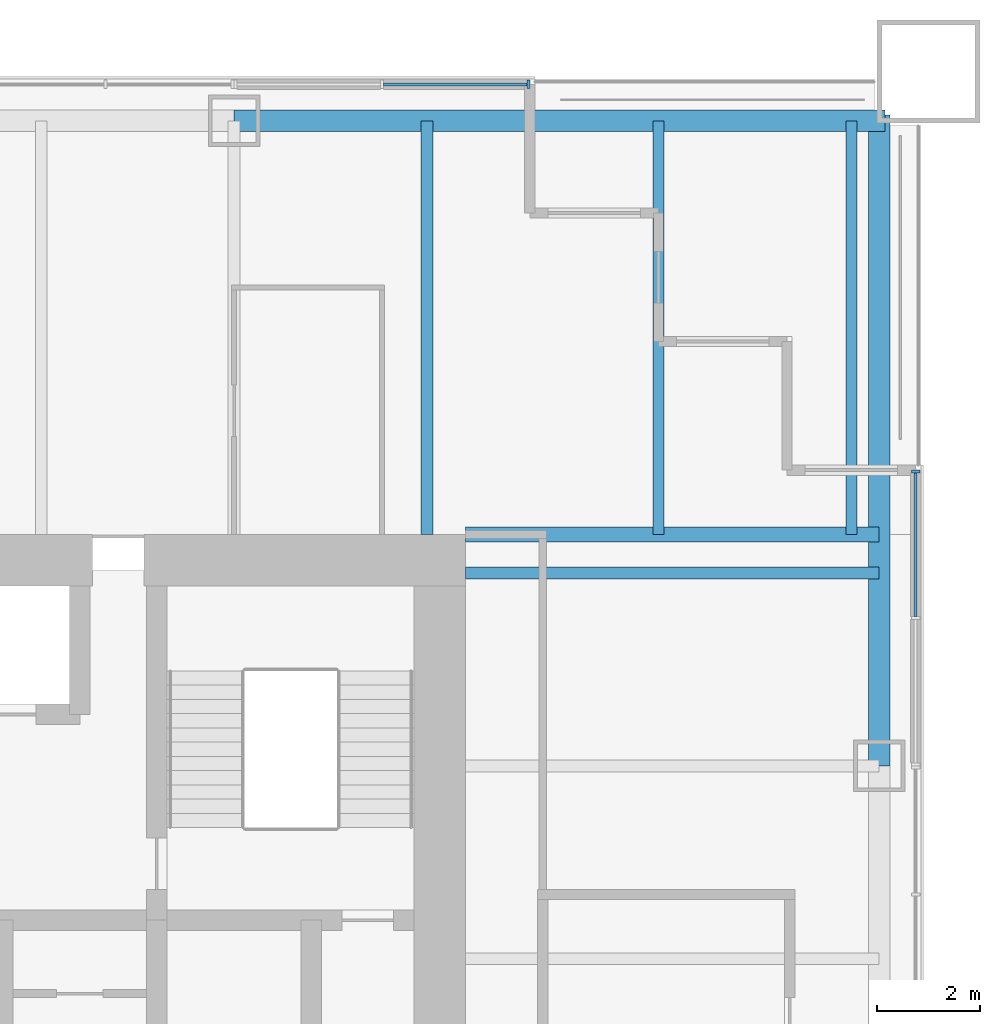
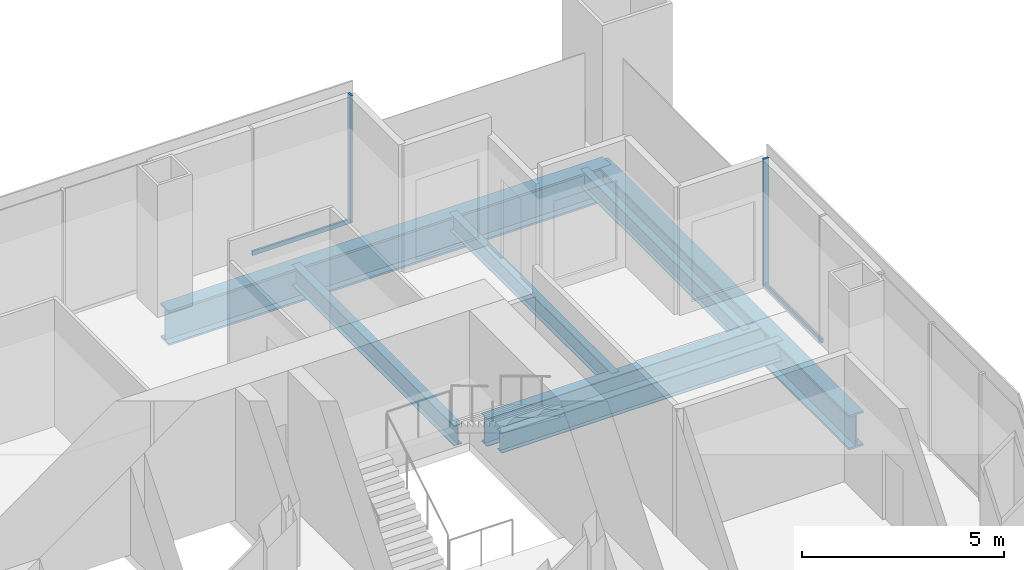
# One storey, part 7 of 14: 7 beams, 4 members, 2 elements without a shape of their own.
"""IFC4 building model written with IfcOpenShell, lengths in metres."""

from ifc_helpers import new_model, si_unit, direction, frame, origin, origin_2d, place, context, subcontext, project, spatial, rectangle, i_section, extrude, material, material_profile, profile_set, type_object, element, aggregate, save


model = new_model("IFC4")

# Units and contexts
model_context = context("Model", 3, precision=1e-05, world=origin(), true_north=direction((0.0, 1.0)))
body_context = subcontext(model_context, "Body", "Model", "MODEL_VIEW")
ifc_project = project(units=[si_unit("LENGTHUNIT", "METRE"), si_unit("AREAUNIT", "SQUARE_METRE"), si_unit("VOLUMEUNIT", "CUBIC_METRE"), si_unit("PLANEANGLEUNIT", "RADIAN"), si_unit("MASSUNIT", "GRAM", prefix="KILO")], contexts=[model_context])

# Site, building, storey
site_placement = place(None, origin())
site = spatial("IfcSite", under=ifc_project, at=site_placement, CompositionType="ELEMENT")
building_placement = place(site_placement, origin())
building = spatial("IfcBuilding", under=site, at=building_placement, Name="Tarangal Relay Tower", CompositionType="ELEMENT")
storey_placement = place(building_placement, frame((0.0, 0.0, 287.89990234375)))
storey = spatial("IfcBuildingStorey", under=building, at=storey_placement, Name="L63", CompositionType="ELEMENT", Elevation=287.89990234375)

# Beams
ifc_material_1 = material(Name="Steel ASTM A992", Category="steel")
ifc_material_profile_1 = material_profile(ifc_material_1, i_section(OverallWidth=0.209228515625, OverallDepth=0.533447265625, WebThickness=0.01025390625, FlangeThickness=0.015625, at=origin_2d()), Name="W21X62")
ifc_profile_set_1 = profile_set([ifc_material_profile_1], Name="Steel ASTM A992")
beam_type_1 = type_object("IfcBeamType", Name="Corner beam W21X62", PredefinedType="JOIST", material=ifc_profile_set_1)
for number, where, z_axis, x_axis, name in (
    (1, (15.75, 12.0, -0.41650390625), (0.0, 1.0, 0.0), (-1.0, 0.0, 0.0), "Corner beam CB12 N L63"),
    (2, (19.5, 12.0, -0.41650390625), (0.0, 1.0, 0.0), (-1.0, 0.0, 0.0), "Corner beam CB12 N L63"),
):
    element("IfcBeam", number, at=place(storey_placement, frame(where, z_axis=z_axis, x_axis=x_axis)), inside=storey, type_object=beam_type_1, Name=name, PredefinedType="JOIST", context=body_context, shape_type="SweptSolid", body=[
        extrude(i_section(OverallWidth=0.209228515625, OverallDepth=0.533447265625, WebThickness=0.01025390625, FlangeThickness=0.015625, at=origin_2d()), origin(), (0.0, 0.0, 1.0), 8.0400390625),
    ])
ifc_material_profile_2 = material_profile(ifc_material_1, i_section(OverallWidth=0.2919921875, OverallDepth=0.8408203125, WebThickness=0.0146484375, FlangeThickness=0.021728515625, at=origin_2d()), Name="W33X130")
ifc_profile_set_2 = profile_set([ifc_material_profile_2], Name="Steel ASTM A992")
beam_type_2 = type_object("IfcBeamType", Name="Corner girder W33X130", PredefinedType="BEAM", material=ifc_profile_set_2)
beam_placement = place(storey_placement, frame((12.0, 12.0, -0.5703125), z_axis=(1.0, 0.0, 0.0), x_axis=(0.0, 1.0, 0.0)))
element("IfcBeam", 3, at=beam_placement, inside=storey, type_object=beam_type_2, Name="Corner girder CG5 N L63", PredefinedType="BEAM", context=body_context, shape_type="SweptSolid", body=[
    extrude(i_section(OverallWidth=0.2919921875, OverallDepth=0.8408203125, WebThickness=0.0146484375, FlangeThickness=0.021728515625, at=origin_2d()), origin(), (0.0, 0.0, 1.0), 8.0400390625),
])
ifc_material_profile_3 = material_profile(ifc_material_1, i_section(OverallWidth=0.41162109375, OverallDepth=1.049072265625, WebThickness=0.033935546875, FlangeThickness=0.059814453125, at=origin_2d()), Name="W40X431")
ifc_profile_set_3 = profile_set([ifc_material_profile_3], Name="Steel ASTM A992")
beam_type_3 = type_object("IfcBeamType", Name="Edge girder W40X431", PredefinedType="SPANDREL", material=ifc_profile_set_3)
for number, where, z_axis, x_axis, name in (
    (4, (7.5, 20.0400390625, -0.67431640625), (1.0, 0.0, 0.0), (0.0, 1.0, 0.0), "Edge girder EG1 N L63"),
    (5, (20.0400390625, 20.14990234375, -0.67431640625), (0.0, -1.0, 0.0), (1.0, 0.0, 0.0), "Edge girder EG1 E L63"),
):
    element("IfcBeam", number, at=place(storey_placement, frame(where, z_axis=z_axis, x_axis=x_axis)), inside=storey, type_object=beam_type_3, Name=name, PredefinedType="SPANDREL", context=body_context, shape_type="SweptSolid", body=[
        extrude(i_section(OverallWidth=0.41162109375, OverallDepth=1.049072265625, WebThickness=0.033935546875, FlangeThickness=0.059814453125, at=origin_2d()), origin(), (0.0, 0.0, 1.0), 12.64990234375),
    ])
ifc_material_profile_4 = material_profile(ifc_material_1, i_section(OverallWidth=0.228271484375, OverallDepth=0.607177734375, WebThickness=0.01123046875, FlangeThickness=0.017333984375, at=origin_2d()), Name="W24X76")
ifc_profile_set_4 = profile_set([ifc_material_profile_4], Name="Steel ASTM A992")
beam_type_4 = type_object("IfcBeamType", Name="Floor beam W24X76", PredefinedType="BEAM", material=ifc_profile_set_4)
for number, where, z_axis, x_axis, name in (
    (6, (11.25, 12.0, -0.453369140625), (0.0, 1.0, 0.0), (-1.0, 0.0, 0.0), "Floor beam RB5 N L63"),
    (7, (12.0, 11.25, -0.453369140625), (1.0, 0.0, 0.0), (0.0, 1.0, 0.0), "Floor beam RB5 E L63"),
):
    element("IfcBeam", number, at=place(storey_placement, frame(where, z_axis=z_axis, x_axis=x_axis)), inside=storey, type_object=beam_type_4, Name=name, PredefinedType="BEAM", context=body_context, shape_type="SweptSolid", body=[
        extrude(i_section(OverallWidth=0.228271484375, OverallDepth=0.607177734375, WebThickness=0.01123046875, FlangeThickness=0.017333984375, at=origin_2d()), origin(), (0.0, 0.0, 1.0), 8.0400390625),
    ])

# Curtain wall, member
ifc_material_2 = material(Name="Unitised curtain wall frame, black aluminium, with metal clad infill walls", Category="aluminium")
curtain_wall_type = type_object("IfcCurtainWallType", Name="Curtain wall CW-BO", PredefinedType="USERDEFINED", material=ifc_material_2)
curtain_wall_1_placement = place(storey_placement, origin())
curtain_wall_1 = element("IfcCurtainWall", 8, at=curtain_wall_1_placement, inside=storey, type_object=curtain_wall_type, Name="Curtain wall CW-BO N facade L63", ObjectType="UNITISED CURTAIN WALL", PredefinedType="USERDEFINED")
ifc_material_3 = material(Name="Black anodised aluminium mullion", Category="aluminium")
ifc_material_profile_5 = material_profile(ifc_material_3, rectangle(XDim=0.159912109375, YDim=0.06005859375, at=origin_2d()), Name="CW-BOM 60X160")
ifc_profile_set_5 = profile_set([ifc_material_profile_5], Name="Black anodised aluminium mullion")
member_type_1 = type_object("IfcMemberType", Name="Mullion CW-BO 60 x 160", PredefinedType="MULLION", material=ifc_profile_set_5)
member_1_placement = place(storey_placement, frame((13.219970703125, 20.75, 0.0), z_axis=(0.0, 0.0, 1.0), x_axis=(0.0, 1.0, 0.0)))
member_1 = element("IfcMember", 9, at=member_1_placement, type_object=member_type_1, Name="CW-BO mullion 3", PredefinedType="MULLION", context=body_context, shape_type="SweptSolid", body=[
    extrude(rectangle(XDim=0.159912109375, YDim=0.06005859375, at=origin_2d()), origin(), (0.0, 0.0, 1.0), 3.85009765625),
])

curtain_wall_2_placement = place(storey_placement, origin())
curtain_wall_2 = element("IfcCurtainWall", 10, at=curtain_wall_2_placement, inside=storey, type_object=curtain_wall_type, Name="Curtain wall CW-BO E facade L63", ObjectType="UNITISED CURTAIN WALL", PredefinedType="USERDEFINED")
member_2_placement = place(storey_placement, frame((20.75, 13.219970703125, 0.0), z_axis=(0.0, 0.0, 1.0), x_axis=(1.0, 0.0, 0.0)))
member_2 = element("IfcMember", 11, at=member_2_placement, type_object=member_type_1, Name="CW-BO mullion 1", PredefinedType="MULLION", context=body_context, shape_type="SweptSolid", body=[
    extrude(rectangle(XDim=0.159912109375, YDim=0.06005859375, at=origin_2d()), origin(), (0.0, 0.0, 1.0), 3.85009765625),
])

# Member
ifc_material_4 = material(Name="Black anodised aluminium transom", Category="aluminium")
ifc_material_profile_6 = material_profile(ifc_material_4, rectangle(XDim=0.06005859375, YDim=0.1298828125, at=origin_2d()), Name="CW-BOT 60X130")
ifc_profile_set_6 = profile_set([ifc_material_profile_6], Name="Black anodised aluminium transom")
member_type_2 = type_object("IfcMemberType", Name="Transom CW-BO 60 x 130", PredefinedType="USERDEFINED", material=ifc_profile_set_6)
member_3_placement = place(storey_placement, frame((10.405029296875, 20.75, 0.030029296875), z_axis=(1.0, 0.0, 0.0), x_axis=(0.0, 1.0, 0.0)))
member_3 = element("IfcMember", 12, at=member_3_placement, type_object=member_type_2, Name="CW-BO transom 2.1", ObjectType="TRANSOM", PredefinedType="USERDEFINED", context=body_context, shape_type="SweptSolid", body=[
    extrude(rectangle(XDim=0.06005859375, YDim=0.1298828125, at=origin_2d()), origin(), (0.0, 0.0, 1.0), 2.784912109375),
])

aggregate(curtain_wall_1, [member_1, member_3])

member_4_placement = place(storey_placement, frame((20.75, 13.18994140625, 0.030029296875), z_axis=(0.0, -1.0, 0.0), x_axis=(1.0, 0.0, 0.0)))
member_4 = element("IfcMember", 13, at=member_4_placement, type_object=member_type_2, Name="CW-BO transom 1.1", ObjectType="TRANSOM", PredefinedType="USERDEFINED", context=body_context, shape_type="SweptSolid", body=[
    extrude(rectangle(XDim=0.06005859375, YDim=0.1298828125, at=origin_2d()), origin(), (0.0, 0.0, 1.0), 2.784912109375),
])

aggregate(curtain_wall_2, [member_2, member_4])

save(model, "model.ifc")
